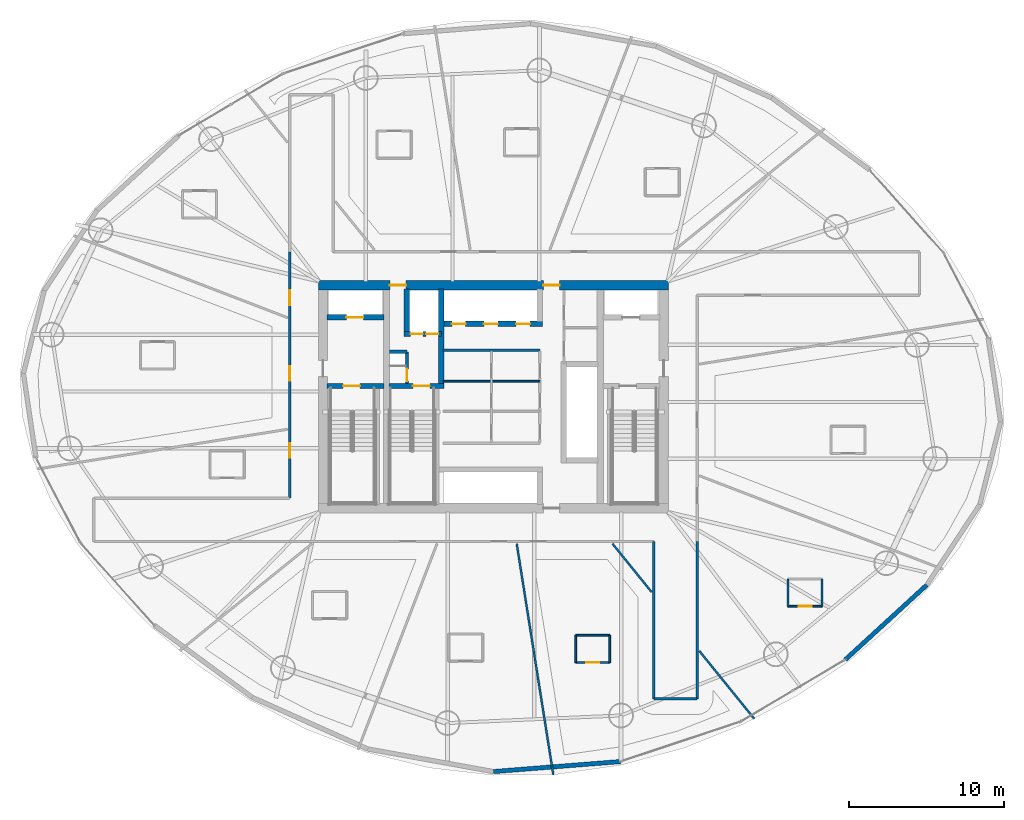
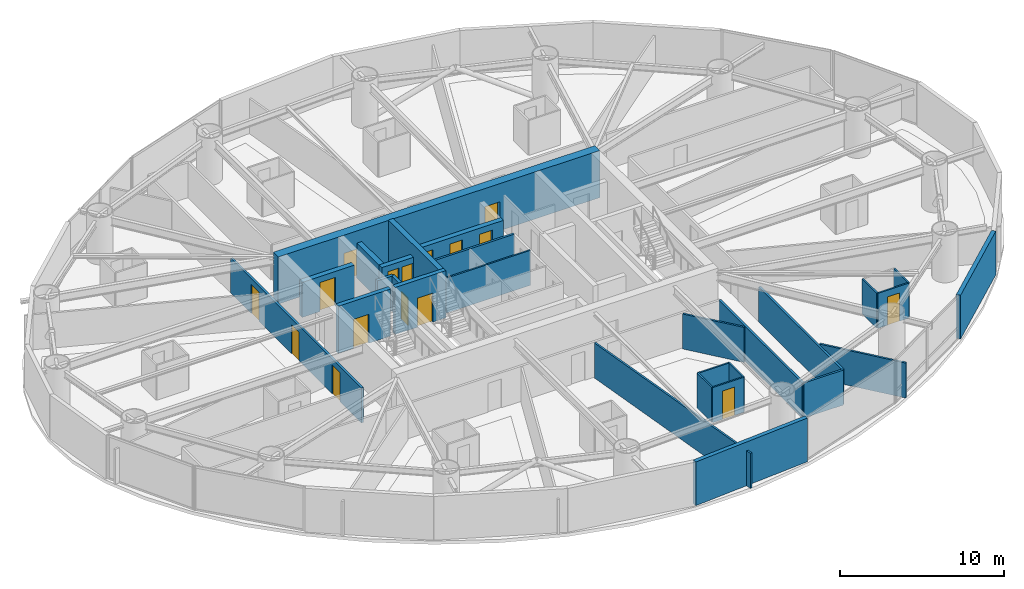
# One storey, part 19 of 25: 28 walls, 16 doors, 16 openings.
"""IFC4 building model written with IfcOpenShell, lengths in metres."""

from ifc_helpers import new_model, si_unit, direction, frame, frame_2d, origin, place, context, subcontext, project, spatial, rectangle, extrude, material, layer, layer_set, type_object, element, fill, save


model = new_model("IFC4")

# Units and contexts
model_context = context("Model", 3, precision=1e-05, world=origin(), true_north=direction((0.0, 1.0)))
body_context = subcontext(model_context, "Body", "Model", "MODEL_VIEW")
ifc_project = project(units=[si_unit("LENGTHUNIT", "METRE"), si_unit("AREAUNIT", "SQUARE_METRE"), si_unit("VOLUMEUNIT", "CUBIC_METRE"), si_unit("PLANEANGLEUNIT", "RADIAN"), si_unit("MASSUNIT", "GRAM", prefix="KILO")], contexts=[model_context])

# Site, building, storey
site_placement = place(None, origin())
site = spatial("IfcSite", under=ifc_project, at=site_placement, CompositionType="ELEMENT")
building_placement = place(site_placement, origin())
building = spatial("IfcBuilding", under=site, at=building_placement, Name="Bramvorn Convention Spire", CompositionType="ELEMENT")
storey_placement = place(building_placement, frame((0.0, 0.0, 48.39990234375)))
storey = spatial("IfcBuildingStorey", under=building, at=storey_placement, Name="L09", CompositionType="ELEMENT", Elevation=48.39990234375)

# Wall, openings, doors
ifc_material_1 = material(Name="Concrete C60/70", Category="concrete")
ifc_layer_1 = layer(ifc_material_1, 0.60009765625)
ifc_layer_set_1 = layer_set([ifc_layer_1], Name="Concrete C60/70 - WL-CORE-600")
wall_type_1 = type_object("IfcWallType", Name="WL-CORE-600", PredefinedType="SHEAR", material=ifc_layer_set_1)
wall_1_placement = place(storey_placement, frame((26.699951171875, 33.199951171875, 0.0), z_axis=(0.0, 0.0, 1.0), x_axis=(1.0, 0.0, 0.0)))
wall_1 = element("IfcWall", 1, at=wall_1_placement, inside=storey, type_object=wall_type_1, Name="L09 North RC core shear wall", PredefinedType="SHEAR", context=body_context, shape_type="SweptSolid", body=[
    extrude(rectangle(XDim=22.60009765625, YDim=0.60009765625, at=frame_2d((11.300048828125, 0.0))), origin(), (0.0, 0.0, 1.0), 3.5),
])
opening_1_placement = place(wall_1_placement, frame((4.6201171875, 0.0, 0.0)))
opening_1 = element("IfcOpeningElement", 2, at=opening_1_placement, cuts=wall_1, Name="Opening DL-105", PredefinedType="OPENING", context=body_context, shape_type="SweptSolid", body=[
    extrude(rectangle(XDim=1.050048828125, YDim=2.14990234375, at=frame_2d((0.52490234375, 1.074951171875))), frame((0.0, 0.31005859375, 0.0), z_axis=(0.0, -1.0, 0.0), x_axis=(1.0, 0.0, 0.0)), (0.0, 0.0, 1.0), 0.6201171875),
])
opening_2_placement = place(wall_1_placement, frame((14.52001953125, 0.0, 0.0)))
opening_2 = element("IfcOpeningElement", 3, at=opening_2_placement, cuts=wall_1, Name="Opening DL-105", PredefinedType="OPENING", context=body_context, shape_type="SweptSolid", body=[
    extrude(rectangle(XDim=1.050048828125, YDim=2.14990234375, at=frame_2d((0.52490234375, 1.074951171875))), frame((0.0, 0.31005859375, 0.0), z_axis=(0.0, -1.0, 0.0), x_axis=(1.0, 0.0, 0.0)), (0.0, 0.0, 1.0), 0.6201171875),
])
ifc_material_2 = material(Name="Smoke-Sealed Fire Lobby Timber-Core Door", Category="wood")
door_type_1 = type_object("IfcDoorType", Name="DR-LOBBY-1050", OperationType="NOTDEFINED", PredefinedType="DOOR", material=ifc_material_2)
door_1_placement = place(opening_1_placement, origin())
door_1 = element("IfcDoor", 4, at=door_1_placement, inside=storey, type_object=door_type_1, Name="L09 Service & Stair ST3 Lobby north corridor door", OperationType="SINGLE_SWING_LEFT", OverallHeight=2.14990234375, OverallWidth=1.050048828125, PredefinedType="DOOR", context=body_context, shape_type="SweptSolid", body=[
    extrude(rectangle(XDim=1.050048828125, YDim=2.14990234375, at=frame_2d((0.52490234375, 1.074951171875))), frame((0.0, 0.02490234375, 0.0), z_axis=(0.0, -1.0, 0.0), x_axis=(1.0, 0.0, 0.0)), (0.0, 0.0, 1.0), 0.050048828125),
])
fill(opening_1, door_1)
door_2_placement = place(opening_2_placement, origin())
door_2 = element("IfcDoor", 5, at=door_2_placement, inside=storey, type_object=door_type_1, Name="L09 North Lift Lobby fire door", OperationType="SINGLE_SWING_LEFT", OverallHeight=2.14990234375, OverallWidth=1.050048828125, PredefinedType="DOOR", context=body_context, shape_type="SweptSolid", body=[
    extrude(rectangle(XDim=1.050048828125, YDim=2.14990234375, at=frame_2d((0.52490234375, 1.074951171875))), frame((0.0, 0.02490234375, 0.0), z_axis=(0.0, -1.0, 0.0), x_axis=(1.0, 0.0, 0.0)), (0.0, 0.0, 1.0), 0.050048828125),
])
fill(opening_2, door_2)

# Wall, opening, door
ifc_material_3 = material(Name="Concrete C50/60", Category="concrete")
ifc_layer_2 = layer(ifc_material_3, 0.35009765625)
ifc_layer_set_2 = layer_set([ifc_layer_2], Name="Concrete C50/60 - WL-CORE-INT-350")
wall_type_2 = type_object("IfcWallType", Name="WL-CORE-INT-350", PredefinedType="SHEAR", material=ifc_layer_set_2)
wall_2_placement = place(storey_placement, frame((27.25, 31.1201171875, 0.0), z_axis=(0.0, 0.0, 1.0), x_axis=(1.0, 0.0, 0.0)))
wall_2 = element("IfcWall", 6, at=wall_2_placement, inside=storey, type_object=wall_type_2, Name="L09 FE1 shaft front wall", PredefinedType="SHEAR", context=body_context, shape_type="SweptSolid", body=[
    extrude(rectangle(XDim=3.669921875, YDim=0.35009765625, at=frame_2d((1.8349609375, 0.0))), origin(), (0.0, 0.0, 1.0), 2.60009765625),
])
opening_3_placement = place(wall_2_placement, frame((1.25, 0.0, 0.0)))
opening_3 = element("IfcOpeningElement", 7, at=opening_3_placement, cuts=wall_2, Name="Opening LD-110", PredefinedType="OPENING", context=body_context, shape_type="SweptSolid", body=[
    extrude(rectangle(XDim=1.10009765625, YDim=2.14990234375, at=frame_2d((0.550048828125, 1.074951171875))), frame((0.0, 0.18505859375, 0.0), z_axis=(0.0, -1.0, 0.0), x_axis=(1.0, 0.0, 0.0)), (0.0, 0.0, 1.0), 0.3701171875),
])
ifc_material_4 = material(Name="Firefighting & Service Lift Sliding Landing Door", Category="steel")
door_type_2 = type_object("IfcDoorType", Name="DR-LIFT-LD-1100", OperationType="NOTDEFINED", PredefinedType="DOOR", material=ifc_material_4)
door_3_placement = place(opening_3_placement, origin())
door_3 = element("IfcDoor", 8, at=door_3_placement, inside=storey, type_object=door_type_2, Name="L09 Lift FE1 Sliding Landing Door", OperationType="SLIDING_TO_LEFT", OverallHeight=2.14990234375, OverallWidth=1.10009765625, PredefinedType="DOOR", context=body_context, shape_type="SweptSolid", body=[
    extrude(rectangle(XDim=1.10009765625, YDim=2.14990234375, at=frame_2d((0.550048828125, 1.074951171875))), frame((0.0, 0.02490234375, 0.0), z_axis=(0.0, -1.0, 0.0), x_axis=(1.0, 0.0, 0.0)), (0.0, 0.0, 1.0), 0.050048828125),
])
fill(opening_3, door_3)

# Wall
wall_3_placement = place(storey_placement, frame((34.639892578125, 26.68994140625, 0.0), z_axis=(0.0, 0.0, 1.0), x_axis=(0.0, 1.0, 0.0)))
element("IfcWall", 9, at=wall_3_placement, inside=storey, type_object=wall_type_2, Name="L09 SV east core shaft wall", PredefinedType="SHEAR", context=body_context, shape_type="SweptSolid", body=[
    extrude(rectangle(XDim=6.260009765625, YDim=0.35009765625, at=frame_2d((3.1298828125, 0.0))), origin(), (0.0, 0.0, 1.0), 3.5),
])

# Wall, openings, doors
wall_4_placement = place(storey_placement, frame((32.22998046875, 30.050048828125, 0.0), z_axis=(0.0, 0.0, 1.0), x_axis=(1.0, 0.0, 0.0)))
wall_4 = element("IfcWall", 10, at=wall_4_placement, inside=storey, type_object=wall_type_2, Name="L09 SV1/SV2 shaft front wall", PredefinedType="SHEAR", context=body_context, shape_type="SweptSolid", body=[
    extrude(rectangle(XDim=2.409912109375, YDim=0.35009765625, at=frame_2d((1.205078125, 0.0))), origin(), (0.0, 0.0, 1.0), 2.60009765625),
])
opening_4_placement = place(wall_4_placement, frame((0.419921875, 0.0, 0.0)))
opening_4 = element("IfcOpeningElement", 11, at=opening_4_placement, cuts=wall_4, Name="Opening LD-080", PredefinedType="OPENING", context=body_context, shape_type="SweptSolid", body=[
    extrude(rectangle(XDim=0.800048828125, YDim=2.14990234375, at=frame_2d((0.39990234375, 1.074951171875))), frame((0.0, 0.18505859375, 0.0), z_axis=(0.0, -1.0, 0.0), x_axis=(1.0, 0.0, 0.0)), (0.0, 0.0, 1.0), 0.3701171875),
])
opening_5_placement = place(wall_4_placement, frame((1.419921875, 0.0, 0.0)))
opening_5 = element("IfcOpeningElement", 12, at=opening_5_placement, cuts=wall_4, Name="Opening LD-080", PredefinedType="OPENING", context=body_context, shape_type="SweptSolid", body=[
    extrude(rectangle(XDim=0.800048828125, YDim=2.14990234375, at=frame_2d((0.39990234375, 1.074951171875))), frame((0.0, 0.18505859375, 0.0), z_axis=(0.0, -1.0, 0.0), x_axis=(1.0, 0.0, 0.0)), (0.0, 0.0, 1.0), 0.3701171875),
])
ifc_material_5 = material(Name="Service Lift Bi-Parting Landing Door", Category="steel")
door_type_3 = type_object("IfcDoorType", Name="DR-LIFT-LD-800", OperationType="NOTDEFINED", PredefinedType="DOOR", material=ifc_material_5)
door_4_placement = place(opening_4_placement, origin())
door_4 = element("IfcDoor", 13, at=door_4_placement, inside=storey, type_object=door_type_3, Name="L09 Lift SV1 Sliding Landing Door", OperationType="SLIDING_TO_LEFT", OverallHeight=2.14990234375, OverallWidth=0.800048828125, PredefinedType="DOOR", context=body_context, shape_type="SweptSolid", body=[
    extrude(rectangle(XDim=0.800048828125, YDim=2.14990234375, at=frame_2d((0.39990234375, 1.074951171875))), frame((0.0, 0.02490234375, 0.0), z_axis=(0.0, -1.0, 0.0), x_axis=(1.0, 0.0, 0.0)), (0.0, 0.0, 1.0), 0.050048828125),
])
fill(opening_4, door_4)
door_5_placement = place(opening_5_placement, origin())
door_5 = element("IfcDoor", 14, at=door_5_placement, inside=storey, type_object=door_type_3, Name="L09 Lift SV2 Sliding Landing Door", OperationType="SLIDING_TO_LEFT", OverallHeight=2.14990234375, OverallWidth=0.800048828125, PredefinedType="DOOR", context=body_context, shape_type="SweptSolid", body=[
    extrude(rectangle(XDim=0.800048828125, YDim=2.14990234375, at=frame_2d((0.39990234375, 1.074951171875))), frame((0.0, 0.02490234375, 0.0), z_axis=(0.0, -1.0, 0.0), x_axis=(1.0, 0.0, 0.0)), (0.0, 0.0, 1.0), 0.050048828125),
])
fill(opening_5, door_5)

# Wall
wall_5_placement = place(storey_placement, frame((32.39990234375, 30.219970703125, 0.0), z_axis=(0.0, 0.0, 1.0), x_axis=(0.0, 1.0, 0.0)))
element("IfcWall", 15, at=wall_5_placement, inside=storey, type_object=wall_type_2, Name="L09 SV1 west hoistway wall", PredefinedType="SHEAR", context=body_context, shape_type="SweptSolid", body=[
    extrude(rectangle(XDim=2.72998046875, YDim=0.35009765625, at=frame_2d((1.364990234375, 0.0))), origin(), (0.0, 0.0, 1.0), 2.60009765625),
])

# Wall, openings, doors
wall_6_placement = place(storey_placement, frame((34.81005859375, 30.699951171875, 0.0), z_axis=(0.0, 0.0, 1.0), x_axis=(1.0, 0.0, 0.0)))
wall_6 = element("IfcWall", 16, at=wall_6_placement, inside=storey, type_object=wall_type_2, Name="L09 Low-rise bank south landing wall", PredefinedType="SHEAR", context=body_context, shape_type="SweptSolid", body=[
    extrude(rectangle(XDim=6.35986328125, YDim=0.35009765625, at=frame_2d((3.179931640625, 0.0))), origin(), (0.0, 0.0, 1.0), 2.60009765625),
])
opening_6_placement = place(wall_6_placement, frame((0.5, 0.0, 0.0)))
opening_6 = element("IfcOpeningElement", 17, at=opening_6_placement, cuts=wall_6, Name="Opening LD-090", PredefinedType="OPENING", context=body_context, shape_type="SweptSolid", body=[
    extrude(rectangle(XDim=0.89990234375, YDim=2.14990234375, at=frame_2d((0.449951171875, 1.074951171875))), frame((0.0, 0.18505859375, 0.0), z_axis=(0.0, -1.0, 0.0), x_axis=(1.0, 0.0, 0.0)), (0.0, 0.0, 1.0), 0.3701171875),
])
opening_7_placement = place(wall_6_placement, frame((2.580078125, 0.0, 0.0)))
opening_7 = element("IfcOpeningElement", 18, at=opening_7_placement, cuts=wall_6, Name="Opening LD-090", PredefinedType="OPENING", context=body_context, shape_type="SweptSolid", body=[
    extrude(rectangle(XDim=0.89990234375, YDim=2.14990234375, at=frame_2d((0.449951171875, 1.074951171875))), frame((0.0, 0.18505859375, 0.0), z_axis=(0.0, -1.0, 0.0), x_axis=(1.0, 0.0, 0.0)), (0.0, 0.0, 1.0), 0.3701171875),
])
opening_8_placement = place(wall_6_placement, frame((4.659912109375, 0.0, 0.0)))
opening_8 = element("IfcOpeningElement", 19, at=opening_8_placement, cuts=wall_6, Name="Opening LD-090", PredefinedType="OPENING", context=body_context, shape_type="SweptSolid", body=[
    extrude(rectangle(XDim=0.89990234375, YDim=2.14990234375, at=frame_2d((0.449951171875, 1.074951171875))), frame((0.0, 0.18505859375, 0.0), z_axis=(0.0, -1.0, 0.0), x_axis=(1.0, 0.0, 0.0)), (0.0, 0.0, 1.0), 0.3701171875),
])
ifc_material_6 = material(Name="Bi-Parting Fire-Rated Lift Landing Door", Category="steel")
door_type_4 = type_object("IfcDoorType", Name="DR-LIFT-LD-900", OperationType="NOTDEFINED", PredefinedType="DOOR", material=ifc_material_6)
door_6_placement = place(opening_6_placement, origin())
door_6 = element("IfcDoor", 20, at=door_6_placement, inside=storey, type_object=door_type_4, Name="L09 Lift PL1 Sliding Landing Door", OperationType="SLIDING_TO_LEFT", OverallHeight=2.14990234375, OverallWidth=0.89990234375, PredefinedType="DOOR", context=body_context, shape_type="SweptSolid", body=[
    extrude(rectangle(XDim=0.89990234375, YDim=2.14990234375, at=frame_2d((0.449951171875, 1.074951171875))), frame((0.0, 0.02490234375, 0.0), z_axis=(0.0, -1.0, 0.0), x_axis=(1.0, 0.0, 0.0)), (0.0, 0.0, 1.0), 0.050048828125),
])
fill(opening_6, door_6)
door_7_placement = place(opening_7_placement, origin())
door_7 = element("IfcDoor", 21, at=door_7_placement, inside=storey, type_object=door_type_4, Name="L09 Lift PL2 Sliding Landing Door", OperationType="SLIDING_TO_LEFT", OverallHeight=2.14990234375, OverallWidth=0.89990234375, PredefinedType="DOOR", context=body_context, shape_type="SweptSolid", body=[
    extrude(rectangle(XDim=0.89990234375, YDim=2.14990234375, at=frame_2d((0.449951171875, 1.074951171875))), frame((0.0, 0.02490234375, 0.0), z_axis=(0.0, -1.0, 0.0), x_axis=(1.0, 0.0, 0.0)), (0.0, 0.0, 1.0), 0.050048828125),
])
fill(opening_7, door_7)
door_8_placement = place(opening_8_placement, origin())
door_8 = element("IfcDoor", 22, at=door_8_placement, inside=storey, type_object=door_type_4, Name="L09 Lift PL3 Sliding Landing Door", OperationType="SLIDING_TO_LEFT", OverallHeight=2.14990234375, OverallWidth=0.89990234375, PredefinedType="DOOR", context=body_context, shape_type="SweptSolid", body=[
    extrude(rectangle(XDim=0.89990234375, YDim=2.14990234375, at=frame_2d((0.449951171875, 1.074951171875))), frame((0.0, 0.02490234375, 0.0), z_axis=(0.0, -1.0, 0.0), x_axis=(1.0, 0.0, 0.0)), (0.0, 0.0, 1.0), 0.050048828125),
])
fill(opening_8, door_8)

# Walls
ifc_material_7 = material(Name="Precast Concrete C40/50 with Bronze Terracotta Rainscreen", Category="masonry")
ifc_layer_3 = layer(ifc_material_7, 0.300048828125)
ifc_layer_set_3 = layer_set([ifc_layer_3], Name="Precast Concrete C40/50 with Bronze Terracotta Rainscreen - WL-EXT-BRONZE-300")
wall_type_3 = type_object("IfcWallType", Name="WL-EXT-BRONZE-300", PredefinedType="SOLIDWALL", material=ifc_layer_set_3)
wall_7_placement = place(storey_placement, frame((46.212646484375, 2.447509765625, 0.0), z_axis=(0.0, 0.0, 1.0), x_axis=(-0.996907010913, -0.078590149465, 0.0)))
element("IfcWall", 23, at=wall_7_placement, inside=storey, type_object=wall_type_3, Name="L09 expressed bronze Gothic lancet pier wall 19", PredefinedType="SOLIDWALL", context=body_context, shape_type="SweptSolid", body=[
    extrude(rectangle(XDim=8.241455078125, YDim=0.280029296875, at=frame_2d((4.12060546875, 0.0))), origin(), (0.0, 0.0, 1.0), 3.25),
])
wall_8_placement = place(storey_placement, frame((65.9794921875, 13.851318359375, 0.0), z_axis=(0.0, 0.0, 1.0), x_axis=(-0.737118668076, -0.675763323342, 0.0)))
element("IfcWall", 24, at=wall_8_placement, inside=storey, type_object=wall_type_3, Name="L09 expressed bronze Gothic lancet pier wall 22", PredefinedType="SOLIDWALL", context=body_context, shape_type="SweptSolid", body=[
    extrude(rectangle(XDim=7.142578125, YDim=0.280029296875, at=frame_2d((3.5712890625, 0.0))), origin(), (0.0, 0.0, 1.0), 3.25),
])
ifc_material_8 = material(Name="Lightweight En-Suite & Wet-Wall Partition", Category="gypsum")
ifc_layer_4 = layer(ifc_material_8, 0.110107421875)
ifc_layer_set_4 = layer_set([ifc_layer_4], Name="Lightweight En-Suite & Wet-Wall Partition - WL-PART-110")
wall_type_4 = type_object("IfcWallType", Name="WL-PART-110", PredefinedType="PARTITIONING", material=ifc_layer_set_4)
wall_9_placement = place(storey_placement, frame((34.75, 27.0029296875, 0.0), z_axis=(0.0, 0.0, 1.0), x_axis=(1.0, 0.0, 0.0)))
element("IfcWall", 25, at=wall_9_placement, inside=storey, type_object=wall_type_4, Name="L09 KB divider 2", PredefinedType="PARTITIONING", context=body_context, shape_type="SweptSolid", body=[
    extrude(rectangle(XDim=6.25, YDim=0.110107421875, at=frame_2d((3.125, 0.0))), origin(), (0.0, 0.0, 1.0), 2.60009765625),
])

# Wall, opening, door
wall_10_placement = place(storey_placement, frame((43.3115234375, 8.841064453125, 0.0), z_axis=(0.0, 0.0, 1.0), x_axis=(1.0, 0.0, 0.0)))
wall_10 = element("IfcWall", 26, at=wall_10_placement, inside=storey, type_object=wall_type_4, Name="Hotel Suite 0910 en-suite south wall", PredefinedType="PARTITIONING", context=body_context, shape_type="SweptSolid", body=[
    extrude(rectangle(XDim=2.2001953125, YDim=0.110107421875, at=frame_2d((1.10009765625, 0.0))), origin(), (0.0, 0.0, 1.0), 2.60009765625),
])
opening_9_placement = place(wall_10_placement, frame((0.679931640625, 0.0, 0.0)))
opening_9 = element("IfcOpeningElement", 27, at=opening_9_placement, cuts=wall_10, Name="Opening DI-085", PredefinedType="OPENING", context=body_context, shape_type="SweptSolid", body=[
    extrude(rectangle(XDim=0.85009765625, YDim=2.10009765625, at=frame_2d((0.425048828125, 1.050048828125))), frame((0.0, 0.06494140625, 0.0), z_axis=(0.0, -1.0, 0.0), x_axis=(1.0, 0.0, 0.0)), (0.0, 0.0, 1.0), 0.130126953125),
])
ifc_material_9 = material(Name="En-Suite & Restroom Privacy Door", Category="wood")
door_type_5 = type_object("IfcDoorType", Name="DR-INT-850", OperationType="NOTDEFINED", PredefinedType="DOOR", material=ifc_material_9)
door_9_placement = place(opening_9_placement, origin())
door_9 = element("IfcDoor", 28, at=door_9_placement, inside=storey, type_object=door_type_5, Name="Hotel Suite 0910 En-Suite Bathroom door", OperationType="SINGLE_SWING_LEFT", OverallHeight=2.10009765625, OverallWidth=0.85009765625, PredefinedType="DOOR", context=body_context, shape_type="SweptSolid", body=[
    extrude(rectangle(XDim=0.85009765625, YDim=2.10009765625, at=frame_2d((0.425048828125, 1.050048828125))), frame((0.0, 0.02490234375, 0.0), z_axis=(0.0, -1.0, 0.0), x_axis=(1.0, 0.0, 0.0)), (0.0, 0.0, 1.0), 0.050048828125),
])
fill(opening_9, door_9)

# Walls
wall_11_placement = place(storey_placement, frame((43.3115234375, 10.60107421875, 0.0), z_axis=(0.0, 0.0, 1.0), x_axis=(1.0, 0.0, 0.0)))
element("IfcWall", 29, at=wall_11_placement, inside=storey, type_object=wall_type_4, Name="Hotel Suite 0910 en-suite north wall", PredefinedType="PARTITIONING", context=body_context, shape_type="SweptSolid", body=[
    extrude(rectangle(XDim=2.2001953125, YDim=0.110107421875, at=frame_2d((1.10009765625, 0.0))), origin(), (0.0, 0.0, 1.0), 2.60009765625),
])
for number, where, z_axis, x_axis, name in (
    (30, (43.3115234375, 8.841064453125, 0.0), (0.0, 0.0, 1.0), (0.0, 1.0, 0.0), "Hotel Suite 0910 en-suite west wall"),
    (31, (45.51171875, 8.841064453125, 0.0), (0.0, 0.0, 1.0), (0.0, 1.0, 0.0), "Hotel Suite 0910 en-suite east wall"),
):
    element("IfcWall", number, at=place(storey_placement, frame(where, z_axis=z_axis, x_axis=x_axis)), inside=storey, type_object=wall_type_4, Name=name, PredefinedType="PARTITIONING", context=body_context, shape_type="SweptSolid", body=[
        extrude(rectangle(XDim=1.760009765625, YDim=0.110107421875, at=frame_2d((0.8798828125, 0.0))), origin(), (0.0, 0.0, 1.0), 2.60009765625),
    ])

# Wall, opening, door
wall_12_placement = place(storey_placement, frame((57.015380859375, 12.4716796875, 0.0), z_axis=(0.0, 0.0, 1.0), x_axis=(1.0, 0.0, 0.0)))
wall_12 = element("IfcWall", 32, at=wall_12_placement, inside=storey, type_object=wall_type_4, Name="Hotel Suite 0911 en-suite south wall", PredefinedType="PARTITIONING", context=body_context, shape_type="SweptSolid", body=[
    extrude(rectangle(XDim=2.2001953125, YDim=0.110107421875, at=frame_2d((1.10009765625, 0.0))), origin(), (0.0, 0.0, 1.0), 2.60009765625),
])
opening_10_placement = place(wall_12_placement, frame((0.679931640625, 0.0, 0.0)))
opening_10 = element("IfcOpeningElement", 33, at=opening_10_placement, cuts=wall_12, Name="Opening DI-085", PredefinedType="OPENING", context=body_context, shape_type="SweptSolid", body=[
    extrude(rectangle(XDim=0.85009765625, YDim=2.10009765625, at=frame_2d((0.425048828125, 1.050048828125))), frame((0.0, 0.06494140625, 0.0), z_axis=(0.0, -1.0, 0.0), x_axis=(1.0, 0.0, 0.0)), (0.0, 0.0, 1.0), 0.130126953125),
])
door_10_placement = place(opening_10_placement, origin())
door_10 = element("IfcDoor", 34, at=door_10_placement, inside=storey, type_object=door_type_5, Name="Hotel Suite 0911 En-Suite Bathroom door", OperationType="SINGLE_SWING_LEFT", OverallHeight=2.10009765625, OverallWidth=0.85009765625, PredefinedType="DOOR", context=body_context, shape_type="SweptSolid", body=[
    extrude(rectangle(XDim=0.85009765625, YDim=2.10009765625, at=frame_2d((0.425048828125, 1.050048828125))), frame((0.0, 0.02490234375, 0.0), z_axis=(0.0, -1.0, 0.0), x_axis=(1.0, 0.0, 0.0)), (0.0, 0.0, 1.0), 0.050048828125),
])
fill(opening_10, door_10)

# Walls
for number, where, z_axis, x_axis, name in (
    (35, (57.015380859375, 12.4716796875, 0.0), (0.0, 0.0, 1.0), (0.0, 1.0, 0.0), "Hotel Suite 0911 en-suite west wall"),
    (36, (59.215576171875, 12.4716796875, 0.0), (0.0, 0.0, 1.0), (0.0, 1.0, 0.0), "Hotel Suite 0911 en-suite east wall"),
):
    element("IfcWall", number, at=place(storey_placement, frame(where, z_axis=z_axis, x_axis=x_axis)), inside=storey, type_object=wall_type_4, Name=name, PredefinedType="PARTITIONING", context=body_context, shape_type="SweptSolid", body=[
        extrude(rectangle(XDim=1.760009765625, YDim=0.110107421875, at=frame_2d((0.8798828125, 0.0))), origin(), (0.0, 0.0, 1.0), 2.60009765625),
    ])
ifc_material_10 = material(Name="Metal-Stud Demountable Office Partition", Category="gypsum")
ifc_layer_5 = layer(ifc_material_10, 0.1298828125)
ifc_layer_set_5 = layer_set([ifc_layer_5], Name="Metal-Stud Demountable Office Partition - WL-PART-130")
wall_type_5 = type_object("IfcWallType", Name="WL-PART-130", PredefinedType="PARTITIONING", material=ifc_layer_set_5)
wall_13_placement = place(storey_placement, frame((39.503173828125, 16.510009765625, 0.0), z_axis=(0.0, 0.0, 1.0), x_axis=(0.156421482908, -0.987690396675, 0.0)))
element("IfcWall", 37, at=wall_13_placement, inside=storey, type_object=wall_type_5, Name="L09 Guestroom demising wall 10", PredefinedType="PARTITIONING", context=body_context, shape_type="SweptSolid", body=[
    extrude(rectangle(XDim=15.10693359375, YDim=0.1298828125, at=frame_2d((7.553466796875, 0.0))), origin(), (0.0, 0.0, 1.0), 2.60009765625),
])
wall_14_placement = place(storey_placement, frame((45.684814453125, 16.510009765625, 0.0), z_axis=(0.0, 0.0, 1.0), x_axis=(0.629306741086, -0.777157014782, 0.0)))
element("IfcWall", 38, at=wall_14_placement, inside=storey, type_object=wall_type_5, Name="L09 Guestroom demising wall 11", PredefinedType="PARTITIONING", context=body_context, shape_type="SweptSolid", body=[
    extrude(rectangle(XDim=4.0126953125, YDim=0.1298828125, at=frame_2d((2.00634765625, 0.0))), origin(), (0.0, 0.0, 1.0), 2.60009765625),
])
wall_15_placement = place(storey_placement, frame((51.2900390625, 9.588134765625, 0.0), z_axis=(0.0, 0.0, 1.0), x_axis=(0.629326246379, -0.777141219868, 0.0)))
element("IfcWall", 39, at=wall_15_placement, inside=storey, type_object=wall_type_5, Name="L09 Guestroom demising wall 11", PredefinedType="PARTITIONING", context=body_context, shape_type="SweptSolid", body=[
    extrude(rectangle(XDim=5.650390625, YDim=0.1298828125, at=frame_2d((2.8251953125, 0.0))), origin(), (0.0, 0.0, 1.0), 2.60009765625),
])
ifc_material_11 = material(Name="Acoustic Metal-Stud Tenant/Corridor Partition", Category="gypsum")
ifc_layer_6 = layer(ifc_material_11, 0.14990234375)
ifc_layer_set_6 = layer_set([ifc_layer_6], Name="Acoustic Metal-Stud Tenant/Corridor Partition - WL-PART-150")
wall_type_6 = type_object("IfcWallType", Name="WL-PART-150", PredefinedType="PARTITIONING", material=ifc_layer_set_6)
wall_16_placement = place(storey_placement, frame((34.75, 29.0, 0.0), z_axis=(0.0, 0.0, 1.0), x_axis=(1.0, 0.0, 0.0)))
element("IfcWall", 40, at=wall_16_placement, inside=storey, type_object=wall_type_6, Name="L09 Low-rise lift vestibule south wall", PredefinedType="PARTITIONING", context=body_context, shape_type="SweptSolid", body=[
    extrude(rectangle(XDim=6.25, YDim=0.14990234375, at=frame_2d((3.125, 0.0))), origin(), (0.0, 0.0, 1.0), 2.60009765625),
])

# Wall, openings, doors
wall_17_placement = place(storey_placement, frame((24.85009765625, 19.449951171875, 0.0), z_axis=(0.0, 0.0, 1.0), x_axis=(0.0, 1.0, 0.0)))
wall_17 = element("IfcWall", 41, at=wall_17_placement, inside=storey, type_object=wall_type_6, Name="L09 West ring corridor wall", PredefinedType="PARTITIONING", context=body_context, shape_type="SweptSolid", body=[
    extrude(rectangle(XDim=15.900146484375, YDim=0.14990234375, at=frame_2d((7.9501953125, 0.0))), origin(), (0.0, 0.0, 1.0), 2.60009765625),
])
opening_11_placement = place(wall_17_placement, frame((12.4658203125, 0.0, 0.0)))
opening_11 = element("IfcOpeningElement", 42, at=opening_11_placement, cuts=wall_17, Name="Opening DH-095", PredefinedType="OPENING", context=body_context, shape_type="SweptSolid", body=[
    extrude(rectangle(XDim=0.949951171875, YDim=2.14990234375, at=frame_2d((0.47509765625, 1.074951171875))), frame((0.0, 0.0849609375, 0.0), z_axis=(0.0, -1.0, 0.0), x_axis=(1.0, 0.0, 0.0)), (0.0, 0.0, 1.0), 0.169921875),
])
opening_12_placement = place(wall_17_placement, frame((7.571044921875, 0.0, 0.0)))
opening_12 = element("IfcOpeningElement", 43, at=opening_12_placement, cuts=wall_17, Name="Opening DH-095", PredefinedType="OPENING", context=body_context, shape_type="SweptSolid", body=[
    extrude(rectangle(XDim=0.949951171875, YDim=2.14990234375, at=frame_2d((0.47509765625, 1.074951171875))), frame((0.0, 0.0849609375, 0.0), z_axis=(0.0, -1.0, 0.0), x_axis=(1.0, 0.0, 0.0)), (0.0, 0.0, 1.0), 0.169921875),
])
opening_13_placement = place(wall_17_placement, frame((2.60888671875, 0.0, 0.0)))
opening_13 = element("IfcOpeningElement", 44, at=opening_13_placement, cuts=wall_17, Name="Opening DH-095", PredefinedType="OPENING", context=body_context, shape_type="SweptSolid", body=[
    extrude(rectangle(XDim=0.949951171875, YDim=2.14990234375, at=frame_2d((0.47509765625, 1.074951171875))), frame((0.0, 0.0849609375, 0.0), z_axis=(0.0, -1.0, 0.0), x_axis=(1.0, 0.0, 0.0)), (0.0, 0.0, 1.0), 0.169921875),
])
ifc_material_12 = material(Name="Solid-Core Acoustic Guestroom Entry Door", Category="wood")
door_type_6 = type_object("IfcDoorType", Name="DR-HOTEL-950", OperationType="NOTDEFINED", PredefinedType="DOOR", material=ifc_material_12)
door_11_placement = place(opening_11_placement, origin())
door_11 = element("IfcDoor", 45, at=door_11_placement, inside=storey, type_object=door_type_6, Name="Hotel Suite 0905 entry door", OperationType="SINGLE_SWING_RIGHT", OverallHeight=2.14990234375, OverallWidth=0.949951171875, PredefinedType="DOOR", context=body_context, shape_type="SweptSolid", body=[
    extrude(rectangle(XDim=0.949951171875, YDim=2.14990234375, at=frame_2d((0.47509765625, 1.074951171875))), frame((0.0, 0.02490234375, 0.0), z_axis=(0.0, -1.0, 0.0), x_axis=(1.0, 0.0, 0.0)), (0.0, 0.0, 1.0), 0.050048828125),
])
fill(opening_11, door_11)
door_12_placement = place(opening_12_placement, origin())
door_12 = element("IfcDoor", 46, at=door_12_placement, inside=storey, type_object=door_type_6, Name="Hotel Suite 0906 entry door", OperationType="SINGLE_SWING_RIGHT", OverallHeight=2.14990234375, OverallWidth=0.949951171875, PredefinedType="DOOR", context=body_context, shape_type="SweptSolid", body=[
    extrude(rectangle(XDim=0.949951171875, YDim=2.14990234375, at=frame_2d((0.47509765625, 1.074951171875))), frame((0.0, 0.02490234375, 0.0), z_axis=(0.0, -1.0, 0.0), x_axis=(1.0, 0.0, 0.0)), (0.0, 0.0, 1.0), 0.050048828125),
])
fill(opening_12, door_12)
door_13_placement = place(opening_13_placement, origin())
door_13 = element("IfcDoor", 47, at=door_13_placement, inside=storey, type_object=door_type_6, Name="Hotel Suite 0907 entry door", OperationType="SINGLE_SWING_RIGHT", OverallHeight=2.14990234375, OverallWidth=0.949951171875, PredefinedType="DOOR", context=body_context, shape_type="SweptSolid", body=[
    extrude(rectangle(XDim=0.949951171875, YDim=2.14990234375, at=frame_2d((0.47509765625, 1.074951171875))), frame((0.0, 0.02490234375, 0.0), z_axis=(0.0, -1.0, 0.0), x_axis=(1.0, 0.0, 0.0)), (0.0, 0.0, 1.0), 0.050048828125),
])
fill(opening_13, door_13)

# Walls
for number, where, z_axis, x_axis, name in (
    (48, (48.35009765625, 6.5, 0.0), (0.0, 0.0, 1.0), (0.0, 1.0, 0.0), "L09 SE pinwheel wing west wall"),
    (49, (51.14990234375, 6.5, 0.0), (0.0, 0.0, 1.0), (0.0, 1.0, 0.0), "L09 SE pinwheel wing east wall"),
):
    element("IfcWall", number, at=place(storey_placement, frame(where, z_axis=z_axis, x_axis=x_axis)), inside=storey, type_object=wall_type_6, Name=name, PredefinedType="PARTITIONING", context=body_context, shape_type="SweptSolid", body=[
        extrude(rectangle(XDim=10.14990234375, YDim=0.14990234375, at=frame_2d((5.074951171875, 0.0))), origin(), (0.0, 0.0, 1.0), 2.60009765625),
    ])
wall_18_placement = place(storey_placement, frame((48.35009765625, 6.5, 0.0), z_axis=(0.0, 0.0, 1.0), x_axis=(1.0, 0.0, 0.0)))
element("IfcWall", 50, at=wall_18_placement, inside=storey, type_object=wall_type_6, Name="L09 SE pinwheel end wall", PredefinedType="PARTITIONING", context=body_context, shape_type="SweptSolid", body=[
    extrude(rectangle(XDim=2.7998046875, YDim=0.14990234375, at=frame_2d((1.39990234375, 0.0))), origin(), (0.0, 0.0, 1.0), 2.60009765625),
])

# Wall, opening, door
ifc_material_13 = material(Name="Gypsum Shaftwall & Rockwool Core Partition", Category="gypsum")
ifc_layer_7 = layer(ifc_material_13, 0.199951171875)
ifc_layer_set_7 = layer_set([ifc_layer_7], Name="Gypsum Shaftwall & Rockwool Core Partition - WL-PART-200-FR")
wall_type_7 = type_object("IfcWallType", Name="WL-PART-200-FR", PredefinedType="PARTITIONING", material=ifc_layer_set_7)
wall_19_placement = place(storey_placement, frame((32.419921875, 26.860107421875, 0.0), z_axis=(0.0, 0.0, 1.0), x_axis=(0.0, 1.0, 0.0)))
wall_19 = element("IfcWall", 51, at=wall_19_placement, inside=storey, type_object=wall_type_7, Name="L09 Telecom riser east wall", PredefinedType="PARTITIONING", context=body_context, shape_type="SweptSolid", body=[
    extrude(rectangle(XDim=2.039794921875, YDim=0.199951171875, at=frame_2d((1.02001953125, 0.0))), origin(), (0.0, 0.0, 1.0), 2.60009765625),
])
opening_14_placement = place(wall_19_placement, frame((0.139892578125, 0.0, 0.0)))
opening_14 = element("IfcOpeningElement", 52, at=opening_14_placement, cuts=wall_19, Name="Opening DR-080", PredefinedType="OPENING", context=body_context, shape_type="SweptSolid", body=[
    extrude(rectangle(XDim=0.800048828125, YDim=2.050048828125, at=frame_2d((0.39990234375, 1.02490234375))), frame((0.0, 0.10986328125, 0.0), z_axis=(0.0, -1.0, 0.0), x_axis=(1.0, 0.0, 0.0)), (0.0, 0.0, 1.0), 0.219970703125),
])
ifc_material_14 = material(Name="Flush Steel Riser Access Door", Category="steel")
door_type_7 = type_object("IfcDoorType", Name="DR-RISER-800", OperationType="NOTDEFINED", PredefinedType="DOOR", material=ifc_material_14)
door_14_placement = place(opening_14_placement, origin())
door_14 = element("IfcDoor", 53, at=door_14_placement, inside=storey, type_object=door_type_7, Name="L09 Telecom riser access door", OperationType="SINGLE_SWING_RIGHT", OverallHeight=2.050048828125, OverallWidth=0.800048828125, PredefinedType="DOOR", context=body_context, shape_type="SweptSolid", body=[
    extrude(rectangle(XDim=0.800048828125, YDim=2.050048828125, at=frame_2d((0.39990234375, 1.02490234375))), frame((0.0, 0.02490234375, 0.0), z_axis=(0.0, -1.0, 0.0), x_axis=(1.0, 0.0, 0.0)), (0.0, 0.0, 1.0), 0.050048828125),
])
fill(opening_14, door_14)

# Wall
wall_20_placement = place(storey_placement, frame((31.300048828125, 28.89990234375, 0.0), z_axis=(0.0, 0.0, 1.0), x_axis=(1.0, 0.0, 0.0)))
element("IfcWall", 54, at=wall_20_placement, inside=storey, type_object=wall_type_7, Name="L09 Telecom riser north wall", PredefinedType="PARTITIONING", context=body_context, shape_type="SweptSolid", body=[
    extrude(rectangle(XDim=1.119873046875, YDim=0.199951171875, at=frame_2d((0.56005859375, 0.0))), origin(), (0.0, 0.0, 1.0), 2.60009765625),
])

# Wall, opening, door
ifc_layer_8 = layer(ifc_material_3, 0.300048828125)
ifc_layer_set_8 = layer_set([ifc_layer_8], Name="Concrete C50/60 - WL-POD-STAIR-300")
wall_type_8 = type_object("IfcWallType", Name="WL-POD-STAIR-300", PredefinedType="SHEAR", material=ifc_layer_set_8)
wall_21_placement = place(storey_placement, frame((27.25, 26.68994140625, 0.0), z_axis=(0.0, 0.0, 1.0), x_axis=(1.0, 0.0, 0.0)))
wall_21 = element("IfcWall", 55, at=wall_21_placement, inside=storey, type_object=wall_type_8, Name="L09 ST1 north fire wall", PredefinedType="SHEAR", context=body_context, shape_type="SweptSolid", body=[
    extrude(rectangle(XDim=3.669921875, YDim=0.300048828125, at=frame_2d((1.8349609375, 0.0))), origin(), (0.0, 0.0, 1.0), 3.5),
])
opening_15_placement = place(wall_21_placement, frame((1.050048828125, 0.0, 0.0)))
opening_15 = element("IfcOpeningElement", 56, at=opening_15_placement, cuts=wall_21, Name="Opening DS-110", PredefinedType="OPENING", context=body_context, shape_type="SweptSolid", body=[
    extrude(rectangle(XDim=1.10009765625, YDim=2.14990234375, at=frame_2d((0.550048828125, 1.074951171875))), frame((0.0, 0.159912109375, 0.0), z_axis=(0.0, -1.0, 0.0), x_axis=(1.0, 0.0, 0.0)), (0.0, 0.0, 1.0), 0.320068359375),
])
ifc_material_15 = material(Name="Fire-Rated Hollow Steel Stairwell Door", Category="steel")
door_type_8 = type_object("IfcDoorType", Name="DR-STAIR-1100", OperationType="NOTDEFINED", PredefinedType="DOOR", material=ifc_material_15)
door_15_placement = place(opening_15_placement, origin())
door_15 = element("IfcDoor", 57, at=door_15_placement, inside=storey, type_object=door_type_8, Name="L09 Stair ST1 fire door", OperationType="SINGLE_SWING_LEFT", OverallHeight=2.14990234375, OverallWidth=1.10009765625, PredefinedType="DOOR", context=body_context, shape_type="SweptSolid", body=[
    extrude(rectangle(XDim=1.10009765625, YDim=2.14990234375, at=frame_2d((0.550048828125, 1.074951171875))), frame((0.0, 0.02490234375, 0.0), z_axis=(0.0, -1.0, 0.0), x_axis=(1.0, 0.0, 0.0)), (0.0, 0.0, 1.0), 0.050048828125),
])
fill(opening_15, door_15)

wall_22_placement = place(storey_placement, frame((31.25, 26.68994140625, 0.0), z_axis=(0.0, 0.0, 1.0), x_axis=(1.0, 0.0, 0.0)))
wall_22 = element("IfcWall", 58, at=wall_22_placement, inside=storey, type_object=wall_type_8, Name="L09 ST3 north lobby wall", PredefinedType="SHEAR", context=body_context, shape_type="SweptSolid", body=[
    extrude(rectangle(XDim=3.56005859375, YDim=0.300048828125, at=frame_2d((1.780029296875, 0.0))), origin(), (0.0, 0.0, 1.0), 3.5),
])
opening_16_placement = place(wall_22_placement, frame((1.550048828125, 0.0, 0.0)))
opening_16 = element("IfcOpeningElement", 59, at=opening_16_placement, cuts=wall_22, Name="Opening DS-110", PredefinedType="OPENING", context=body_context, shape_type="SweptSolid", body=[
    extrude(rectangle(XDim=1.10009765625, YDim=2.14990234375, at=frame_2d((0.550048828125, 1.074951171875))), frame((0.0, 0.159912109375, 0.0), z_axis=(0.0, -1.0, 0.0), x_axis=(1.0, 0.0, 0.0)), (0.0, 0.0, 1.0), 0.320068359375),
])
door_16_placement = place(opening_16_placement, origin())
door_16 = element("IfcDoor", 60, at=door_16_placement, inside=storey, type_object=door_type_8, Name="L09 Stair ST3 fire door", OperationType="SINGLE_SWING_LEFT", OverallHeight=2.14990234375, OverallWidth=1.10009765625, PredefinedType="DOOR", context=body_context, shape_type="SweptSolid", body=[
    extrude(rectangle(XDim=1.10009765625, YDim=2.14990234375, at=frame_2d((0.550048828125, 1.074951171875))), frame((0.0, 0.02490234375, 0.0), z_axis=(0.0, -1.0, 0.0), x_axis=(1.0, 0.0, 0.0)), (0.0, 0.0, 1.0), 0.050048828125),
])
fill(opening_16, door_16)

save(model, "model.ifc")
